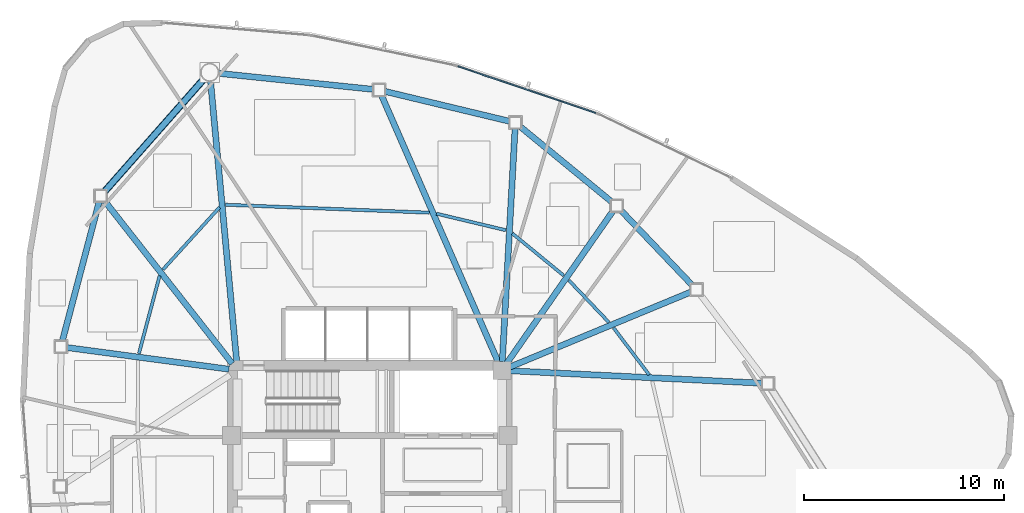
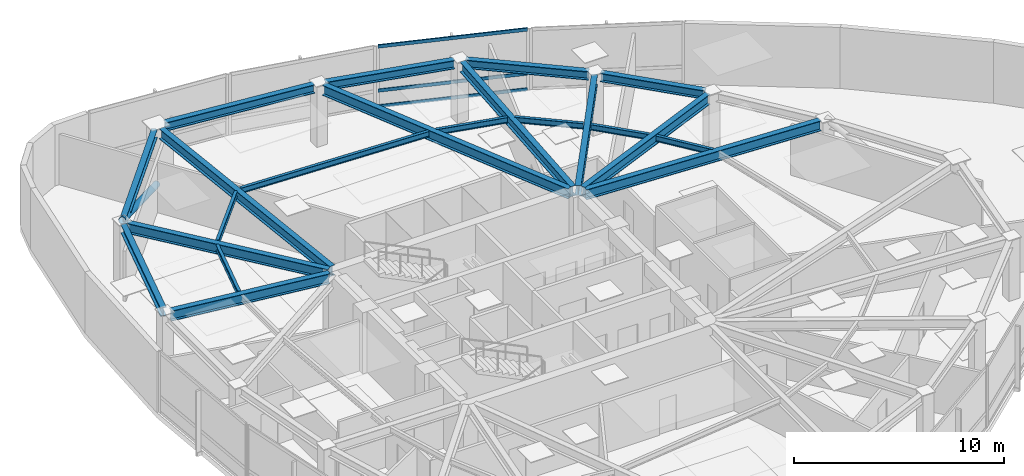
# One storey, part 7 of 17: 21 beams, 4 members, 1 element without a shape of its own.
"""IFC4 building model written with IfcOpenShell, lengths in metres."""

import ifcopenshell
import ifcopenshell.guid

model = None  # the IFC model being written
_history = None  # IfcOwnerHistory: only IFC2X3 demands one
_inside = {}  # id of a spatial element -> (the spatial element, [elements in it])
_under = {}  # id of a project, library or spatial element -> (it, [spatial elements below it])
_declared = {}  # id of a project -> (the project, [libraries it declares])
_typed = {}  # id of a type object -> (the type object, [elements of that type])
_made_of = {}  # id of a material, layer set ... -> (it, [elements and type objects made of it])


def new_model(schema):
    """Start an empty IFC model of exactly this schema.

    Asked for "IFC4X3", IfcOpenShell would pick the latest addendum, in which some entities
    have other attributes; the version numbers below select the first issue.
    IFC2X3 requires an IfcOwnerHistory on every rooted entity: one is made here for all.
    """
    global model, _history
    if schema == "IFC4X3":
        model = ifcopenshell.file(schema_version=(4, 3, 0, 0))
    else:
        model = ifcopenshell.file(schema=schema)
    _inside.clear()
    _under.clear()
    _declared.clear()
    _typed.clear()
    _made_of.clear()
    _history = None
    if model.schema == "IFC2X3":
        org = make("IfcOrganization", Name="unknown")
        user = make(
            "IfcPersonAndOrganization",
            ThePerson=make("IfcPerson", FamilyName="unknown"),
            TheOrganization=org,
        )
        app = make(
            "IfcApplication",
            ApplicationDeveloper=org,
            Version="unknown",
            ApplicationFullName="unknown",
            ApplicationIdentifier="unknown",
        )
        _history = make(
            "IfcOwnerHistory",
            OwningUser=user,
            OwningApplication=app,
            ChangeAction="ADDED",
            CreationDate=0,
        )
    return model


def make(cls, **values):
    """One entity of the class cls with the attributes given. An attribute that is None is left unset."""
    return model.create_entity(
        cls, **{name: value for name, value in values.items() if value is not None}
    )


def rooted(cls, **values):
    """An entity with a GlobalId (a new one), such as an element, a storey or a relation."""
    return make(cls, GlobalId=ifcopenshell.guid.new(), OwnerHistory=_history, **values)


def si_unit(unit_type, name, prefix=None):
    """IfcSIUnit, for example si_unit("LENGTHUNIT", "METRE", prefix="MILLI")."""
    return make("IfcSIUnit", UnitType=unit_type, Prefix=prefix, Name=name)


def assignment(units):
    """IfcUnitAssignment: the units of a project."""
    return None if units is None else make("IfcUnitAssignment", Units=units)


def point(xyz):
    """IfcCartesianPoint."""
    return None if xyz is None else make("IfcCartesianPoint", Coordinates=xyz)


def direction(xyz):
    """IfcDirection."""
    return None if xyz is None else make("IfcDirection", DirectionRatios=xyz)


def frame(location, z_axis=None, x_axis=None):
    """IfcAxis2Placement3D, a coordinate frame: its origin and axes. An axis left out is left unset."""
    return make(
        "IfcAxis2Placement3D",
        Location=point(location),
        Axis=direction(z_axis),
        RefDirection=direction(x_axis),
    )


def frame_2d(location, x_axis=None):
    """IfcAxis2Placement2D, a coordinate frame in the plane: its origin and x axis."""
    return make(
        "IfcAxis2Placement2D", Location=point(location), RefDirection=direction(x_axis)
    )


def origin():
    """The frame at (0, 0, 0) with its axes left unset."""
    return frame((0.0, 0.0, 0.0))


def origin_2d():
    """The frame at (0, 0) in the plane with its x axis left unset."""
    return frame_2d((0.0, 0.0))


def place(relative_to, where):
    """IfcLocalPlacement: puts the frame where relative to a parent placement (None: the world)."""
    return make(
        "IfcLocalPlacement", PlacementRelTo=relative_to, RelativePlacement=where
    )


def context(
    kind, dimensions, precision=None, world=None, true_north=None, identifier=None
):
    """IfcGeometricRepresentationContext, for example the 3D "Model" context."""
    return make(
        "IfcGeometricRepresentationContext",
        ContextIdentifier=identifier,
        ContextType=kind,
        CoordinateSpaceDimension=dimensions,
        Precision=precision,
        WorldCoordinateSystem=world,
        TrueNorth=true_north,
    )


def subcontext(parent, identifier, kind, view, scale=None):
    """IfcGeometricRepresentationSubContext, for example "Body" below "Model"."""
    return make(
        "IfcGeometricRepresentationSubContext",
        ContextIdentifier=identifier,
        ContextType=kind,
        ParentContext=parent,
        TargetScale=scale,
        TargetView=view,
    )


def project(units=None, contexts=None):
    """IfcProject with its units and contexts."""
    return rooted(
        "IfcProject",
        Name="project",
        RepresentationContexts=contexts,
        UnitsInContext=assignment(units),
    )


def spatial(cls, under=None, at=None, **own):
    """A site, building, storey or space (cls), placed at a placement, below another one or the project."""
    s = rooted(cls, ObjectPlacement=at, **own)
    if under is not None:
        _under.setdefault(under.id(), (under, []))[1].append(s)
    return s


def profile(cls, at=None, kind="AREA", **sizes):
    """A parametric profile (cls). Its sizes go by their IFC names, for example OverallWidth=200.0."""
    return make(cls, ProfileType=kind, Position=at, **sizes)


def hollow_rectangle(**sizes):
    """IfcRectangleHollowProfileDef."""
    return profile("IfcRectangleHollowProfileDef", **sizes)


def hollow_circle(**sizes):
    """IfcCircleHollowProfileDef."""
    return profile("IfcCircleHollowProfileDef", **sizes)


def i_section(**sizes):
    """IfcIShapeProfileDef."""
    return profile("IfcIShapeProfileDef", **sizes)


def extrude(swept, where, along, depth):
    """IfcExtrudedAreaSolid: the profile swept, set in the frame where, extruded along a direction by depth."""
    return make(
        "IfcExtrudedAreaSolid",
        SweptArea=swept,
        Position=where,
        ExtrudedDirection=direction(along),
        Depth=depth,
    )


def shape(context_of_items, identifier, shape_type, items):
    """IfcShapeRepresentation: the items that make up one representation, for example the "Body"."""
    return make(
        "IfcShapeRepresentation",
        ContextOfItems=context_of_items,
        RepresentationIdentifier=identifier,
        RepresentationType=shape_type,
        Items=items,
    )


def source(mapping_origin, context_of_items, identifier, shape_type, items):
    """IfcRepresentationMap: a shape defined once, which mapped items show again and again."""
    return make(
        "IfcRepresentationMap",
        MappingOrigin=mapping_origin,
        MappedRepresentation=shape(context_of_items, identifier, shape_type, items),
    )


def transform(
    local_origin,
    x_axis=None,
    y_axis=None,
    z_axis=None,
    scale=None,
    scale2=None,
    scale3=None,
    uniform=True,
):
    """IfcCartesianTransformationOperator3D, or its non-uniform kind. x_axis, y_axis, z_axis: its Axis1, 2, 3."""
    if uniform:
        return make(
            "IfcCartesianTransformationOperator3D",
            Axis1=direction(x_axis),
            Axis2=direction(y_axis),
            LocalOrigin=point(local_origin),
            Scale=scale,
            Axis3=direction(z_axis),
        )
    return make(
        "IfcCartesianTransformationOperator3DnonUniform",
        Axis1=direction(x_axis),
        Axis2=direction(y_axis),
        LocalOrigin=point(local_origin),
        Scale=scale,
        Axis3=direction(z_axis),
        Scale2=scale2,
        Scale3=scale3,
    )


def mapped(mapping_source, mapping_target):
    """IfcMappedItem: shows the shape of a source again, moved by a transform."""
    return make(
        "IfcMappedItem", MappingSource=mapping_source, MappingTarget=mapping_target
    )


def material(Name=None, Category=None):
    """IfcMaterial."""
    return make("IfcMaterial", Name=Name, Category=Category)


def layer(
    of_material, thickness, ventilated=None, Name=None, Category=None, Priority=None
):
    """IfcMaterialLayer: one layer of a wall or slab, of a material (None: an air gap)."""
    return make(
        "IfcMaterialLayer",
        Material=of_material,
        LayerThickness=thickness,
        IsVentilated=ventilated,
        Name=Name,
        Category=Category,
        Priority=Priority,
    )


def layer_set(layers, Name=None):
    """IfcMaterialLayerSet."""
    return make("IfcMaterialLayerSet", MaterialLayers=layers, LayerSetName=Name)


def material_profile(
    of_material, cross_section, Name=None, Category=None, Priority=None
):
    """IfcMaterialProfile: a cross section and its material."""
    return make(
        "IfcMaterialProfile",
        Name=Name,
        Material=of_material,
        Profile=cross_section,
        Priority=Priority,
        Category=Category,
    )


def profile_set(profiles, Name=None, composite=None):
    """IfcMaterialProfileSet."""
    return make(
        "IfcMaterialProfileSet",
        Name=Name,
        MaterialProfiles=profiles,
        CompositeProfile=composite,
    )


def made_of(thing, what):
    """Note that an element or type object is made of a material, layer set ...; save() writes the relation."""
    if what is not None:
        _made_of.setdefault(what.id(), (what, []))[1].append(thing)
    return thing


def type_object(cls, material=None, **own):
    """A type object (cls), such as IfcWallType, which elements share."""
    return made_of(rooted(cls, **own), material)


def type_shapes(of_type, sources):
    """Give a type object the sources (RepresentationMaps) that its elements show as mapped items."""
    of_type.RepresentationMaps = sources


def element(
    cls,
    number,
    at=None,
    inside=None,
    cuts=None,
    type_object=None,
    material=None,
    context=None,
    identifier="Body",
    shape_type=None,
    held_by="IfcProductDefinitionShape",
    body=None,
    shapes=None,
    **own,
):
    """One element of the class cls, such as IfcWall. Its Tag is "e" and its number.

    at: its placement. inside: the storey or other place that contains it. cuts: it is an
    opening in that element (IfcRelVoidsElement). A single representation is given by context,
    identifier, shape_type and body (its items); several are given by shapes. held_by: the class
    of the entity that holds the representations. save() writes the other relations.
    """
    e = rooted(cls, Tag="e%d" % number, ObjectPlacement=at, **own)
    if body is not None:
        shapes = [shape(context, identifier, shape_type, body)]
    if shapes is not None:
        e.Representation = make(held_by, Representations=shapes)
    if inside is not None:
        _inside.setdefault(inside.id(), (inside, []))[1].append(e)
    if cuts is not None:
        rooted(
            "IfcRelVoidsElement", RelatingBuildingElement=cuts, RelatedOpeningElement=e
        )
    if type_object is not None:
        _typed.setdefault(type_object.id(), (type_object, []))[1].append(e)
    return made_of(e, material)


def aggregate(whole, parts):
    """IfcRelAggregates: a whole, such as a stair, and the parts it consists of."""
    return rooted("IfcRelAggregates", RelatingObject=whole, RelatedObjects=parts)


def save(model, path):
    """Write the relations noted so far, then the file.

    IfcRelAggregates (storeys below a building ...), IfcRelContainedInSpatialStructure (elements
    in a storey), IfcRelDefinesByType, IfcRelAssociatesMaterial and IfcRelDeclares: one each for
    every whole, place, type object, material and project.
    """
    for whole, parts in _under.values():
        aggregate(whole, parts)
    for where, things in _inside.values():
        rooted(
            "IfcRelContainedInSpatialStructure",
            RelatedElements=things,
            RelatingStructure=where,
        )
    for kind, things in _typed.values():
        rooted("IfcRelDefinesByType", RelatedObjects=things, RelatingType=kind)
    for what, things in _made_of.values():
        rooted("IfcRelAssociatesMaterial", RelatedObjects=things, RelatingMaterial=what)
    for by, libraries in _declared.values():
        rooted("IfcRelDeclares", RelatingContext=by, RelatedDefinitions=libraries)
    model.write(path)


model = new_model("IFC4")

# Units and contexts
model_context = context("Model", 3, precision=1e-05, world=origin(), true_north=direction((0.0, 1.0)))
body_context = subcontext(model_context, "Body", "Model", "MODEL_VIEW")
ifc_project = project(units=[si_unit("LENGTHUNIT", "METRE"), si_unit("AREAUNIT", "SQUARE_METRE"), si_unit("VOLUMEUNIT", "CUBIC_METRE"), si_unit("PLANEANGLEUNIT", "RADIAN"), si_unit("MASSUNIT", "GRAM", prefix="KILO")], contexts=[model_context])

# Site, building, storey
site_placement = place(None, origin())
site = spatial("IfcSite", under=ifc_project, at=site_placement, CompositionType="ELEMENT")
building_placement = place(site_placement, origin())
building = spatial("IfcBuilding", under=site, at=building_placement, Name="Tavelor Broadcast Tower", CompositionType="ELEMENT")
storey_placement = place(building_placement, frame((0.0, 0.0, 192.60009765625)))
storey = spatial("IfcBuildingStorey", under=building, at=storey_placement, Name="L46", CompositionType="ELEMENT", Elevation=192.60009765625)

# Beams
ifc_material_1 = material(Name="Steel S355", Category="steel")
ifc_material_profile_1 = material_profile(ifc_material_1, i_section(OverallWidth=0.159912109375, OverallDepth=0.330078125, WebThickness=0.007568359375, FlangeThickness=0.011474609375, at=origin_2d()), Name="IPE 330")
ifc_profile_set_1 = profile_set([ifc_material_profile_1], Name="Steel S355")
beam_type_1 = type_object("IfcBeamType", Name="Composite Floor Joist T4 IPE 330", PredefinedType="JOIST", material=ifc_profile_set_1)
beam_1_placement = place(storey_placement, frame((42.505615234375, 59.343505859375, 3.385009765625), z_axis=(-0.672852052716, -0.739777071256, 0.0), x_axis=(0.739777071256, -0.672852052716, 0.0)))
element("IfcBeam", 1, at=beam_1_placement, inside=storey, type_object=beam_type_1, Name="L46 Secondary Composite Floor Joist 01", PredefinedType="JOIST", context=body_context, shape_type="SweptSolid", body=[
    extrude(i_section(OverallWidth=0.159912109375, OverallDepth=0.330078125, WebThickness=0.007568359375, FlangeThickness=0.011474609375, at=origin_2d()), origin(), (0.0, 0.0, 1.0), 4.202392578125),
])
beam_2_placement = place(storey_placement, frame((39.509521484375, 55.92578125, 3.385009765625), z_axis=(-0.256963595852, -0.966421083383, 0.0), x_axis=(0.966421083383, -0.256963595852, 0.0)))
element("IfcBeam", 2, at=beam_2_placement, inside=storey, type_object=beam_type_1, Name="L46 Secondary Composite Floor Joist 02", PredefinedType="JOIST", context=body_context, shape_type="SweptSolid", body=[
    extrude(i_section(OverallWidth=0.159912109375, OverallDepth=0.330078125, WebThickness=0.007568359375, FlangeThickness=0.011474609375, at=origin_2d()), origin(), (0.0, 0.0, 1.0), 4.021728515625),
])
beam_3_placement = place(storey_placement, frame((63.959716796875, 50.9755859375, 3.385009765625), z_axis=(-0.604116162247, 0.796896268351, 0.0), x_axis=(-0.796896268351, -0.604116162247, 0.0)))
element("IfcBeam", 3, at=beam_3_placement, inside=storey, type_object=beam_type_1, Name="L46 Secondary Composite Floor Joist 14", PredefinedType="JOIST", context=body_context, shape_type="SweptSolid", body=[
    extrude(i_section(OverallWidth=0.159912109375, OverallDepth=0.330078125, WebThickness=0.007568359375, FlangeThickness=0.011474609375, at=origin_2d()), origin(), (0.0, 0.0, 1.0), 2.94580078125),
])
beam_4_placement = place(storey_placement, frame((61.946044921875, 53.59814453125, 3.385009765625), z_axis=(-0.689642531817, 0.724149969487, 0.0), x_axis=(-0.724149969487, -0.689642531817, 0.0)))
element("IfcBeam", 4, at=beam_4_placement, inside=storey, type_object=beam_type_1, Name="L46 Secondary Composite Floor Joist 15", PredefinedType="JOIST", context=body_context, shape_type="SweptSolid", body=[
    extrude(i_section(OverallWidth=0.159912109375, OverallDepth=0.330078125, WebThickness=0.007568359375, FlangeThickness=0.011474609375, at=origin_2d()), origin(), (0.0, 0.0, 1.0), 2.893798828125),
])
beam_5_placement = place(storey_placement, frame((59.685791015625, 55.939453125, 3.385009765625), z_axis=(-0.773655391446, 0.633606609251, 0.0), x_axis=(-0.633606609251, -0.773655391446, 0.0)))
element("IfcBeam", 5, at=beam_5_placement, inside=storey, type_object=beam_type_1, Name="L46 Secondary Composite Floor Joist 16", PredefinedType="JOIST", context=body_context, shape_type="SweptSolid", body=[
    extrude(i_section(OverallWidth=0.159912109375, OverallDepth=0.330078125, WebThickness=0.007568359375, FlangeThickness=0.011474609375, at=origin_2d()), origin(), (0.0, 0.0, 1.0), 3.315673828125),
])
beam_6_placement = place(storey_placement, frame((56.804443359375, 58.197021484375, 3.385009765625), z_axis=(-0.972674676245, 0.232172294196, 0.0), x_axis=(-0.232172294196, -0.972674676245, 0.0)))
element("IfcBeam", 6, at=beam_6_placement, inside=storey, type_object=beam_type_1, Name="L46 Secondary Composite Floor Joist 17", PredefinedType="JOIST", context=body_context, shape_type="SweptSolid", body=[
    extrude(i_section(OverallWidth=0.159912109375, OverallDepth=0.330078125, WebThickness=0.007568359375, FlangeThickness=0.011474609375, at=origin_2d()), origin(), (0.0, 0.0, 1.0), 3.56884765625),
])
beam_7_placement = place(storey_placement, frame((52.976318359375, 59.07470703125, 3.385009765625), z_axis=(-0.999243420365, 0.038891989637, 0.0), x_axis=(-0.038891989637, -0.999243420365, 0.0)))
element("IfcBeam", 7, at=beam_7_placement, inside=storey, type_object=beam_type_1, Name="L46 Secondary Composite Floor Joist 18", PredefinedType="JOIST", context=body_context, shape_type="SweptSolid", body=[
    extrude(i_section(OverallWidth=0.159912109375, OverallDepth=0.330078125, WebThickness=0.007568359375, FlangeThickness=0.011474609375, at=origin_2d()), origin(), (0.0, 0.0, 1.0), 10.17578125),
])
ifc_material_profile_2 = material_profile(ifc_material_1, i_section(OverallWidth=0.300048828125, OverallDepth=0.5, WebThickness=0.014404296875, FlangeThickness=0.028076171875, at=origin_2d()), Name="HEB 500")
ifc_profile_set_2 = profile_set([ifc_material_profile_2], Name="Steel S355")
beam_type_2 = type_object("IfcBeamType", Name="Perimeter Spandrel Beam T4 HEB 500", PredefinedType="SPANDREL", material=ifc_profile_set_2)
beam_8_placement = place(storey_placement, frame((41.720947265625, 65.7509765625, 3.2998046875), z_axis=(-0.661625943185, -0.749834055845, 0.0), x_axis=(0.749834055845, -0.661625943185, 0.0)))
element("IfcBeam", 8, at=beam_8_placement, inside=storey, type_object=beam_type_2, Name="L46 Framed-Tube Ring Spandrel 01", PredefinedType="SPANDREL", context=body_context, shape_type="SweptSolid", body=[
    extrude(i_section(OverallWidth=0.300048828125, OverallDepth=0.5, WebThickness=0.014404296875, FlangeThickness=0.028076171875, at=origin_2d()), origin(), (0.0, 0.0, 1.0), 7.500732421875),
])
beam_9_placement = place(storey_placement, frame((36.493896484375, 59.63232421875, 3.2998046875), z_axis=(-0.255762341211, -0.96673968824, 0.0), x_axis=(0.96673968824, -0.255762341211, 0.0)))
element("IfcBeam", 9, at=beam_9_placement, inside=storey, type_object=beam_type_2, Name="L46 Framed-Tube Ring Spandrel 02", PredefinedType="SPANDREL", context=body_context, shape_type="SweptSolid", body=[
    extrude(i_section(OverallWidth=0.300048828125, OverallDepth=0.5, WebThickness=0.014404296875, FlangeThickness=0.028076171875, at=origin_2d()), origin(), (0.0, 0.0, 1.0), 7.214599609375),
])
beam_10_placement = place(storey_placement, frame((66.123291015625, 55.437255859375, 3.2998046875), z_axis=(-0.689936010055, 0.723870362723, 0.0), x_axis=(-0.723870362723, -0.689936010055, 0.0)))
element("IfcBeam", 10, at=beam_10_placement, inside=storey, type_object=beam_type_2, Name="L46 Framed-Tube Ring Spandrel 15", PredefinedType="SPANDREL", context=body_context, shape_type="SweptSolid", body=[
    extrude(i_section(OverallWidth=0.300048828125, OverallDepth=0.5, WebThickness=0.014404296875, FlangeThickness=0.028076171875, at=origin_2d()), origin(), (0.0, 0.0, 1.0), 5.208740234375),
])
beam_11_placement = place(storey_placement, frame((62.1083984375, 59.59912109375, 3.2998046875), z_axis=(-0.772717651191, 0.634749896839, 0.0), x_axis=(-0.634749896839, -0.772717651191, 0.0)))
element("IfcBeam", 11, at=beam_11_placement, inside=storey, type_object=beam_type_2, Name="L46 Framed-Tube Ring Spandrel 16", PredefinedType="SPANDREL", context=body_context, shape_type="SweptSolid", body=[
    extrude(i_section(OverallWidth=0.300048828125, OverallDepth=0.5, WebThickness=0.014404296875, FlangeThickness=0.028076171875, at=origin_2d()), origin(), (0.0, 0.0, 1.0), 5.965087890625),
])
beam_12_placement = place(storey_placement, frame((56.99658203125, 63.635498046875, 3.2998046875), z_axis=(-0.972354853411, 0.233508113452, 0.0), x_axis=(-0.233508113452, -0.972354853411, 0.0)))
element("IfcBeam", 12, at=beam_12_placement, inside=storey, type_object=beam_type_2, Name="L46 Framed-Tube Ring Spandrel 17", PredefinedType="SPANDREL", context=body_context, shape_type="SweptSolid", body=[
    extrude(i_section(OverallWidth=0.300048828125, OverallDepth=0.5, WebThickness=0.014404296875, FlangeThickness=0.028076171875, at=origin_2d()), origin(), (0.0, 0.0, 1.0), 6.421630859375),
])
beam_13_placement = place(storey_placement, frame((50.18603515625, 65.23193359375, 3.2998046875), z_axis=(-0.99466284774, 0.103178579783, 0.0), x_axis=(-0.103178579783, -0.99466284774, 0.0)))
element("IfcBeam", 13, at=beam_13_placement, inside=storey, type_object=beam_type_2, Name="L46 Framed-Tube Ring Spandrel 18", PredefinedType="SPANDREL", context=body_context, shape_type="SweptSolid", body=[
    extrude(i_section(OverallWidth=0.300048828125, OverallDepth=0.5, WebThickness=0.014404296875, FlangeThickness=0.028076171875, at=origin_2d()), origin(), (0.0, 0.0, 1.0), 7.780029296875),
])

# Member
ifc_material_profile_3 = material_profile(ifc_material_1, hollow_circle(Radius=0.177734375, WallThickness=0.01611328125, at=origin_2d()), Name="CHS 355.6x16")
ifc_profile_set_3 = profile_set([ifc_material_profile_3], Name="Steel S355")
member_type_1 = type_object("IfcMemberType", Name="Perimeter Tube Brace T4 CHS 355.6x16", PredefinedType="BRACE", material=ifc_profile_set_3)
member_1_placement = place(storey_placement, frame((42.01123046875, 66.080078125, 0.0), z_axis=(-0.607491147602, -0.688491783644, 0.396148418448), x_axis=(0.74983872131, -0.661620655681, 0.0)))
element("IfcMember", 14, at=member_1_placement, inside=storey, type_object=member_type_1, Name="L46 Corner Tube Diagonal Brace 1", PredefinedType="BRACE", context=body_context, shape_type="SweptSolid", body=[
    extrude(hollow_circle(Radius=0.177734375, WallThickness=0.01611328125, at=origin_2d()), origin(), (0.0, 0.0, 1.0), 8.960693359375),
])

# Beams
ifc_material_profile_4 = material_profile(ifc_material_1, i_section(OverallWidth=0.300048828125, OverallDepth=0.590087890625, WebThickness=0.012939453125, FlangeThickness=0.02490234375, at=origin_2d()), Name="HEA 600")
ifc_profile_set_4 = profile_set([ifc_material_profile_4], Name="Steel S355")
beam_type_3 = type_object("IfcBeamType", Name="Radial Floor Girder T4 HEA 600", PredefinedType="BEAM", material=ifc_profile_set_4)
beam_14_placement = place(storey_placement, frame((43.35986328125, 51.630126953125, 3.2548828125), z_axis=(-0.092926929372, 0.995672931136, 0.0), x_axis=(-0.995672931136, -0.092926929372, 0.0)))
element("IfcBeam", 15, at=beam_14_placement, inside=storey, type_object=beam_type_3, Name="L46 Radial Primary Floor Girder 01", PredefinedType="BEAM", context=body_context, shape_type="SweptSolid", body=[
    extrude(i_section(OverallWidth=0.300048828125, OverallDepth=0.590087890625, WebThickness=0.012939453125, FlangeThickness=0.02490234375, at=origin_2d()), origin(), (0.0, 0.0, 1.0), 14.073974609375),
])
beam_15_placement = place(storey_placement, frame((43.13330078125, 51.539794921875, 3.2548828125), z_axis=(-0.617155684101, 0.786841065007, 0.0), x_axis=(-0.786841065007, -0.617155684101, 0.0)))
element("IfcBeam", 16, at=beam_15_placement, inside=storey, type_object=beam_type_3, Name="L46 Radial Primary Floor Girder 02", PredefinedType="BEAM", context=body_context, shape_type="SweptSolid", body=[
    extrude(i_section(OverallWidth=0.300048828125, OverallDepth=0.590087890625, WebThickness=0.012939453125, FlangeThickness=0.02490234375, at=origin_2d()), origin(), (0.0, 0.0, 1.0), 10.3505859375),
])
beam_16_placement = place(storey_placement, frame((42.9716796875, 51.257080078125, 3.2548828125), z_axis=(-0.991183810809, 0.132493974169, 0.0), x_axis=(-0.132493974169, -0.991183810809, 0.0)))
element("IfcBeam", 17, at=beam_16_placement, inside=storey, type_object=beam_type_3, Name="L46 Radial Primary Floor Girder 03", PredefinedType="BEAM", context=body_context, shape_type="SweptSolid", body=[
    extrude(i_section(OverallWidth=0.300048828125, OverallDepth=0.590087890625, WebThickness=0.012939453125, FlangeThickness=0.02490234375, at=origin_2d()), origin(), (0.0, 0.0, 1.0), 8.183349609375),
])
beam_17_placement = place(storey_placement, frame((57.031494140625, 51.1787109375, 3.2548828125), z_axis=(0.998783784198, -0.049304689662, 0.0), x_axis=(0.049304689662, 0.998783784198, 0.0)))
element("IfcBeam", 18, at=beam_17_placement, inside=storey, type_object=beam_type_3, Name="L46 Radial Primary Floor Girder 14", PredefinedType="BEAM", context=body_context, shape_type="SweptSolid", body=[
    extrude(i_section(OverallWidth=0.300048828125, OverallDepth=0.590087890625, WebThickness=0.012939453125, FlangeThickness=0.02490234375, at=origin_2d()), origin(), (0.0, 0.0, 1.0), 12.582275390625),
])
beam_18_placement = place(storey_placement, frame((56.9990234375, 51.365478515625, 3.2548828125), z_axis=(0.923827405628, 0.38280925356, 0.0), x_axis=(-0.38280925356, 0.923827405628, 0.0)))
element("IfcBeam", 19, at=beam_18_placement, inside=storey, type_object=beam_type_3, Name="L46 Radial Primary Floor Girder 15", PredefinedType="BEAM", context=body_context, shape_type="SweptSolid", body=[
    extrude(i_section(OverallWidth=0.300048828125, OverallDepth=0.590087890625, WebThickness=0.012939453125, FlangeThickness=0.02490234375, at=origin_2d()), origin(), (0.0, 0.0, 1.0), 9.8037109375),
])
beam_19_placement = place(storey_placement, frame((56.84716796875, 51.55419921875, 3.2548828125), z_axis=(0.572078083908, 0.820199162346, 0.0), x_axis=(-0.820199162346, 0.572078083908, 0.0)))
element("IfcBeam", 20, at=beam_19_placement, inside=storey, type_object=beam_type_3, Name="L46 Radial Primary Floor Girder 16", PredefinedType="BEAM", context=body_context, shape_type="SweptSolid", body=[
    extrude(i_section(OverallWidth=0.300048828125, OverallDepth=0.590087890625, WebThickness=0.012939453125, FlangeThickness=0.02490234375, at=origin_2d()), origin(), (0.0, 0.0, 1.0), 9.29736328125),
])
beam_20_placement = place(storey_placement, frame((56.62353515625, 51.63134765625, 3.2548828125), z_axis=(0.054637852805, 0.998506236856, 0.0), x_axis=(-0.998506236856, 0.054637852805, 0.0)))
element("IfcBeam", 21, at=beam_20_placement, inside=storey, type_object=beam_type_3, Name="L46 Radial Primary Floor Girder 17", PredefinedType="BEAM", context=body_context, shape_type="SweptSolid", body=[
    extrude(i_section(OverallWidth=0.300048828125, OverallDepth=0.590087890625, WebThickness=0.012939453125, FlangeThickness=0.02490234375, at=origin_2d()), origin(), (0.0, 0.0, 1.0), 11.666748046875),
])
beam_21_placement = place(storey_placement, frame((56.4267578125, 51.595703125, 3.2548828125), z_axis=(-0.4008997337, 0.916121937036, 0.0), x_axis=(-0.916121937036, -0.4008997337, 0.0)))
element("IfcBeam", 22, at=beam_21_placement, inside=storey, type_object=beam_type_3, Name="L46 Radial Primary Floor Girder 18", PredefinedType="BEAM", context=body_context, shape_type="SweptSolid", body=[
    extrude(i_section(OverallWidth=0.300048828125, OverallDepth=0.590087890625, WebThickness=0.012939453125, FlangeThickness=0.02490234375, at=origin_2d()), origin(), (0.0, 0.0, 1.0), 14.564453125),
])

# Curtain wall, members
ifc_material_2 = material(Name="Architectural Anodized Aluminium", Category="aluminium")
ifc_layer = layer(ifc_material_2, 0.18994140625)
ifc_layer_set = layer_set([ifc_layer], Name="Architectural Anodized Aluminium")
curtain_wall_type = type_object("IfcCurtainWallType", Name="Tower Mid-Zone Acoustic Curtain Wall CW03", PredefinedType="NOTDEFINED", material=ifc_layer_set)
curtain_wall_placement = place(storey_placement, origin())
curtain_wall = element("IfcCurtainWall", 23, at=curtain_wall_placement, inside=storey, type_object=curtain_wall_type, Name="L46 Curtain Wall CW03 Run 502", PredefinedType="NOTDEFINED")
ifc_material_profile_5 = material_profile(ifc_material_2, hollow_rectangle(XDim=0.068115234375, YDim=0.18994140625, WallThickness=0.02197265625, at=origin_2d()), Name="RHS 68x190x22")
ifc_profile_set_5 = profile_set([ifc_material_profile_5], Name="Architectural Anodized Aluminium")
member_type_2 = type_object("IfcMemberType", Name="CW03 Extruded Aluminium Transom 68x190", PredefinedType="USERDEFINED", material=ifc_profile_set_5)
shared_shape = source(origin(), body_context, "Body", "SweptSolid", [
    extrude(hollow_rectangle(XDim=0.068115234375, YDim=0.18994140625, WallThickness=0.02197265625, at=origin_2d()), origin(), (0.0, 0.0, 1.0), 7.2705078125),
])
type_shapes(member_type_2, [shared_shape])
member_2_placement = place(storey_placement, frame((61.2861328125, 64.0537109375, 0.033935546875), z_axis=(-0.947072800995, 0.321018861775, 0.0), x_axis=(-0.321018861775, -0.947072800995, 0.0)))
member_2 = element("IfcMember", 24, at=member_2_placement, type_object=member_type_2, Name="CW03 transom 1.1", ObjectType="TRANSOM", PredefinedType="USERDEFINED", context=body_context, shape_type="MappedRepresentation", body=[
    mapped(shared_shape, transform((0.0, 0.0, 0.0), scale=1.0)),
])
member_3_placement = place(storey_placement, frame((61.2861328125, 64.0537109375, 0.949951171875), z_axis=(-0.947072800995, 0.321018861775, 0.0), x_axis=(-0.321018861775, -0.947072800995, 0.0)))
member_3 = element("IfcMember", 25, at=member_3_placement, type_object=member_type_2, Name="CW03 transom 1.2", ObjectType="TRANSOM", PredefinedType="USERDEFINED", context=body_context, shape_type="MappedRepresentation", body=[
    mapped(shared_shape, transform((0.0, 0.0, 0.0), scale=1.0)),
])
member_4_placement = place(storey_placement, frame((61.2861328125, 64.0537109375, 3.515869140625), z_axis=(-0.947072800995, 0.321018861775, 0.0), x_axis=(-0.321018861775, -0.947072800995, 0.0)))
member_4 = element("IfcMember", 26, at=member_4_placement, type_object=member_type_2, Name="CW03 transom 1.3", ObjectType="TRANSOM", PredefinedType="USERDEFINED", context=body_context, shape_type="MappedRepresentation", body=[
    mapped(shared_shape, transform((0.0, 0.0, 0.0), scale=1.0)),
])
aggregate(curtain_wall, [member_2, member_3, member_4])

save(model, "model.ifc")
